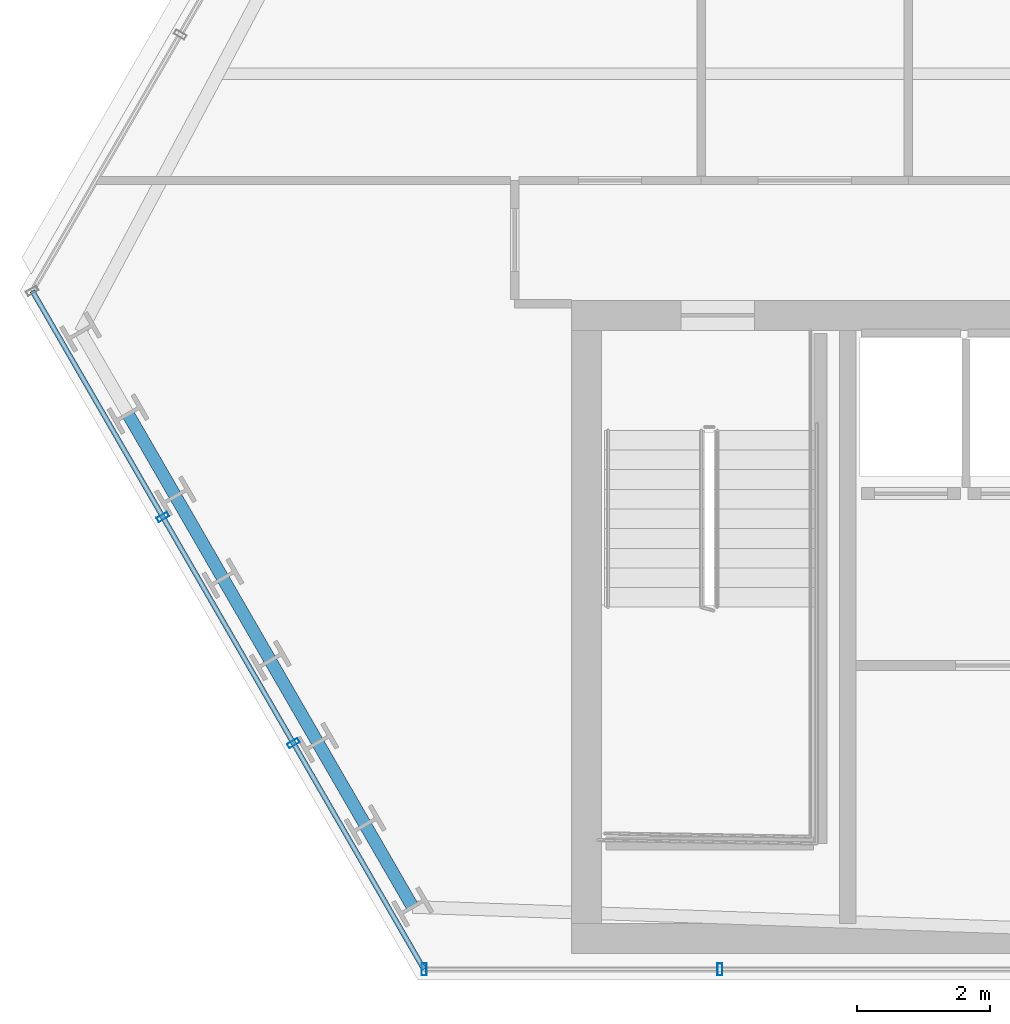
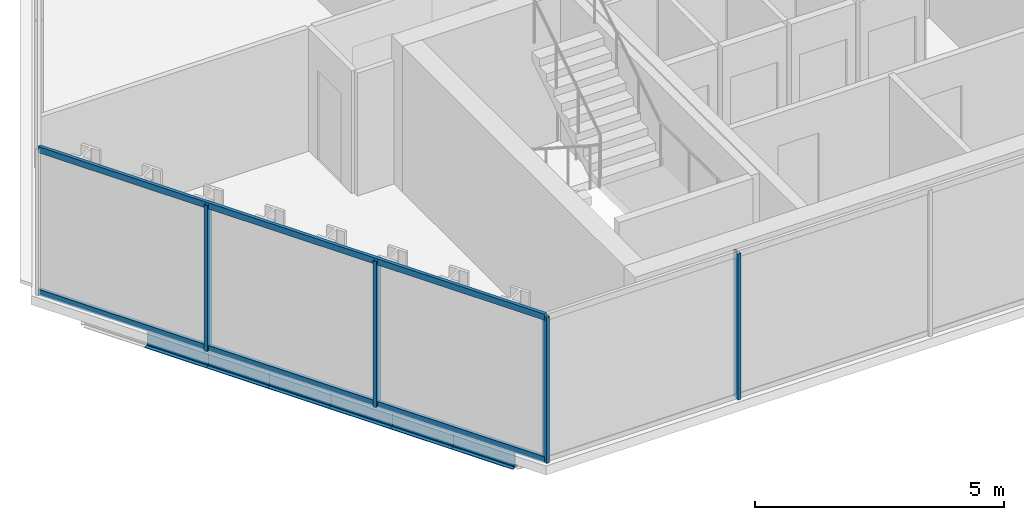
# One storey, part 2 of 31: 6 beams, 6 members, 2 elements without a shape of their own.
"""IFC4 building model written with IfcOpenShell, lengths in metres."""

from ifc_helpers import new_model, si_unit, direction, frame, origin, origin_2d, place, context, subcontext, project, spatial, hollow_rectangle, i_section, extrude, material, layer, layer_set, material_profile, profile_set, type_object, element, aggregate, save


model = new_model("IFC4")

# Units and contexts
model_context = context("Model", 3, precision=1e-05, world=origin(), true_north=direction((0.0, 1.0)))
body_context = subcontext(model_context, "Body", "Model", "MODEL_VIEW")
ifc_project = project(units=[si_unit("LENGTHUNIT", "METRE"), si_unit("AREAUNIT", "SQUARE_METRE"), si_unit("VOLUMEUNIT", "CUBIC_METRE"), si_unit("PLANEANGLEUNIT", "RADIAN"), si_unit("MASSUNIT", "GRAM", prefix="KILO")], contexts=[model_context])

# Site, building, storey
site_placement = place(None, origin())
site = spatial("IfcSite", under=ifc_project, at=site_placement, CompositionType="ELEMENT")
building_placement = place(site_placement, origin())
building = spatial("IfcBuilding", under=site, at=building_placement, Name="Ndaravel Arena Tower", CompositionType="ELEMENT")
storey_placement = place(building_placement, frame((0.0, 0.0, 138.39990234375)))
storey = spatial("IfcBuildingStorey", under=building, at=storey_placement, Name="L32", CompositionType="ELEMENT", Elevation=138.39990234375)

# Beams
ifc_material_1 = material(Name="Steel S355", Category="steel")
ifc_material_profile_1 = material_profile(ifc_material_1, i_section(OverallWidth=0.18994140625, OverallDepth=0.449951171875, WebThickness=0.009521484375, FlangeThickness=0.0146484375, FilletRadius=0.02099609375, at=origin_2d()), Name="IPE 450")
ifc_profile_set_1 = profile_set([ifc_material_profile_1], Name="Steel S355")
beam_type = type_object("IfcBeamType", Name="BM-SPAN-IPE450", PredefinedType="SPANDREL", material=ifc_profile_set_1)
for number, where, z_axis, x_axis, name in (
    (1, (19.797607421875, 13.493896484375, -0.44482421875), (0.500049018998, -0.865997100803, 0.0), (0.865997100803, 0.500049018998, 0.0), "L32 Perimeter Spandrel Beam SP-21"),
    (2, (20.509521484375, 12.260986328125, -0.44482421875), (0.499920397431, -0.866071357471, 0.0), (0.866071357471, 0.499920397431, 0.0), "L32 Perimeter Spandrel Beam SP-22"),
    (3, (21.22119140625, 11.028076171875, -0.44482421875), (0.500049018998, -0.865997100803, 0.0), (0.865997100803, 0.500049018998, 0.0), "L32 Perimeter Spandrel Beam SP-23"),
    (4, (21.93310546875, 9.795166015625, -0.44482421875), (0.500049018998, -0.865997100803, 0.0), (0.865997100803, 0.500049018998, 0.0), "L32 Perimeter Spandrel Beam SP-24"),
    (5, (22.64501953125, 8.562255859375, -0.44482421875), (0.499920397431, -0.866071357471, 0.0), (0.866071357471, 0.499920397431, 0.0), "L32 Perimeter Spandrel Beam SP-25"),
    (6, (23.356689453125, 7.329345703125, -0.44482421875), (0.500049018998, -0.865997100803, 0.0), (0.865997100803, 0.500049018998, 0.0), "L32 Perimeter Spandrel Beam SP-26"),
):
    element("IfcBeam", number, at=place(storey_placement, frame(where, z_axis=z_axis, x_axis=x_axis)), inside=storey, type_object=beam_type, Name=name, PredefinedType="SPANDREL", context=body_context, shape_type="SweptSolid", body=[
        extrude(i_section(OverallWidth=0.18994140625, OverallDepth=0.449951171875, WebThickness=0.009521484375, FlangeThickness=0.0146484375, FilletRadius=0.02099609375, at=origin_2d()), origin(), (0.0, 0.0, 1.0), 1.423583984375),
    ])

# Curtain wall, members
ifc_material_2 = material(Name="Aluminium", Category="aluminium")
ifc_layer_1 = layer(ifc_material_2, 0.179931640625)
ifc_layer_set_1 = layer_set([ifc_layer_1], Name="Aluminium")
curtain_wall_type_1 = type_object("IfcCurtainWallType", Name="CW-SYS-03", PredefinedType="NOTDEFINED", material=ifc_layer_set_1)
curtain_wall_1_placement = place(storey_placement, origin())
curtain_wall_1 = element("IfcCurtainWall", 7, at=curtain_wall_1_placement, inside=storey, type_object=curtain_wall_type_1, Name="L32 Faceted Crystal Curtain Wall CW-L32-E01", PredefinedType="NOTDEFINED")
ifc_material_3 = material(Name="Aluminium", Category="aluminium")
ifc_material_profile_2 = material_profile(ifc_material_3, hollow_rectangle(XDim=0.074951171875, YDim=0.179931640625, WallThickness=0.00390625, at=origin_2d()), Name="CW MULLION 75x180x4")
ifc_profile_set_2 = profile_set([ifc_material_profile_2], Name="Aluminium")
member_type_1 = type_object("IfcMemberType", Name="MEM-CW-MUL180", PredefinedType="MULLION", material=ifc_profile_set_2)
member_1_placement = place(storey_placement, frame((24.23974609375, 5.159912109375, 0.0), z_axis=(0.0, 0.0, 1.0), x_axis=(1.0, 0.0, 0.0)))
member_1 = element("IfcMember", 8, at=member_1_placement, type_object=member_type_1, Name="CW-L32-E01 Mullion 00", PredefinedType="MULLION", context=body_context, shape_type="SweptSolid", body=[
    extrude(hollow_rectangle(XDim=0.074951171875, YDim=0.179931640625, WallThickness=0.00390625, at=origin_2d()), origin(), (0.0, 0.0, 1.0), 3.580078125),
])
member_2_placement = place(storey_placement, frame((28.6796875, 5.159912109375, 0.0), z_axis=(0.0, 0.0, 1.0), x_axis=(1.0, 0.0, 0.0)))
member_2 = element("IfcMember", 9, at=member_2_placement, type_object=member_type_1, Name="CW-L32-E01 Mullion 01", PredefinedType="MULLION", context=body_context, shape_type="SweptSolid", body=[
    extrude(hollow_rectangle(XDim=0.074951171875, YDim=0.179931640625, WallThickness=0.00390625, at=origin_2d()), origin(), (0.0, 0.0, 1.0), 3.580078125),
])
aggregate(curtain_wall_1, [member_1, member_2])

ifc_material_4 = material(Name="Aluminium", Category="aluminium")
ifc_layer_2 = layer(ifc_material_4, 0.179931640625)
ifc_layer_set_2 = layer_set([ifc_layer_2], Name="Aluminium")
curtain_wall_type_2 = type_object("IfcCurtainWallType", Name="CW-SYS-02", PredefinedType="NOTDEFINED", material=ifc_layer_set_2)
curtain_wall_2_placement = place(storey_placement, origin())
curtain_wall_2 = element("IfcCurtainWall", 10, at=curtain_wall_2_placement, inside=storey, type_object=curtain_wall_type_2, Name="L32 Faceted Crystal Curtain Wall CW-L32-E06", PredefinedType="NOTDEFINED")
member_3_placement = place(storey_placement, frame((20.3203125, 11.94873046875, 0.0), z_axis=(0.0, 0.0, 1.0), x_axis=(0.5, -0.866025403784, 0.0)))
member_3 = element("IfcMember", 11, at=member_3_placement, type_object=member_type_1, Name="CW-L32-E06 Mullion 01", PredefinedType="MULLION", context=body_context, shape_type="SweptSolid", body=[
    extrude(hollow_rectangle(XDim=0.074951171875, YDim=0.179931640625, WallThickness=0.00390625, at=origin_2d()), origin(), (0.0, 0.0, 1.0), 3.580078125),
])
member_4_placement = place(storey_placement, frame((22.280029296875, 8.554443359375, 0.0), z_axis=(0.0, 0.0, 1.0), x_axis=(0.5, -0.866025403784, 0.0)))
member_4 = element("IfcMember", 12, at=member_4_placement, type_object=member_type_1, Name="CW-L32-E06 Mullion 02", PredefinedType="MULLION", context=body_context, shape_type="SweptSolid", body=[
    extrude(hollow_rectangle(XDim=0.074951171875, YDim=0.179931640625, WallThickness=0.00390625, at=origin_2d()), origin(), (0.0, 0.0, 1.0), 3.580078125),
])
ifc_material_5 = material(Name="Aluminium", Category="aluminium")
ifc_material_profile_3 = material_profile(ifc_material_5, hollow_rectangle(XDim=0.074951171875, YDim=0.14990234375, WallThickness=0.00390625, at=origin_2d()), Name="CW TRANSOM 75x150x4")
ifc_profile_set_3 = profile_set([ifc_material_profile_3], Name="Aluminium")
member_type_2 = type_object("IfcMemberType", Name="MEM-CW-TRN150", PredefinedType="USERDEFINED", material=ifc_profile_set_3)
member_5_placement = place(storey_placement, frame((18.360595703125, 15.34326171875, 0.0400390625), z_axis=(0.499986653496, -0.866033109255, 0.0), x_axis=(0.866033109255, 0.499986653496, 0.0)))
member_5 = element("IfcMember", 13, at=member_5_placement, type_object=member_type_2, Name="CW-L32-E06 Transom 01", ObjectType="TRANSOM", PredefinedType="USERDEFINED", context=body_context, shape_type="SweptSolid", body=[
    extrude(hollow_rectangle(XDim=0.074951171875, YDim=0.14990234375, WallThickness=0.00390625, at=origin_2d()), origin(), (0.0, 0.0, 1.0), 11.758544921875),
])
member_6_placement = place(storey_placement, frame((18.360595703125, 15.34326171875, 3.5400390625), z_axis=(0.499986653496, -0.866033109255, 0.0), x_axis=(0.866033109255, 0.499986653496, 0.0)))
member_6 = element("IfcMember", 14, at=member_6_placement, type_object=member_type_2, Name="CW-L32-E06 Transom 02", ObjectType="TRANSOM", PredefinedType="USERDEFINED", context=body_context, shape_type="SweptSolid", body=[
    extrude(hollow_rectangle(XDim=0.074951171875, YDim=0.14990234375, WallThickness=0.00390625, at=origin_2d()), origin(), (0.0, 0.0, 1.0), 11.758544921875),
])
aggregate(curtain_wall_2, [member_3, member_4, member_5, member_6])

save(model, "model.ifc")
